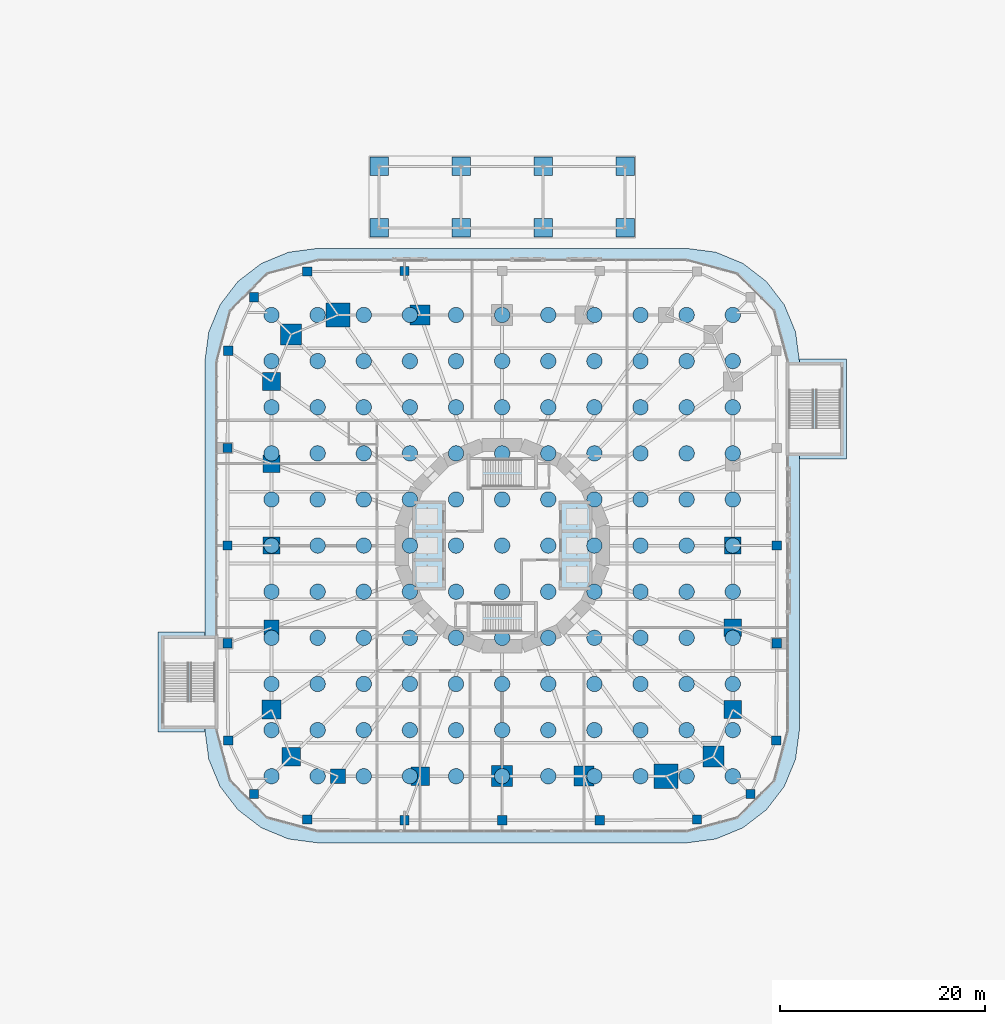
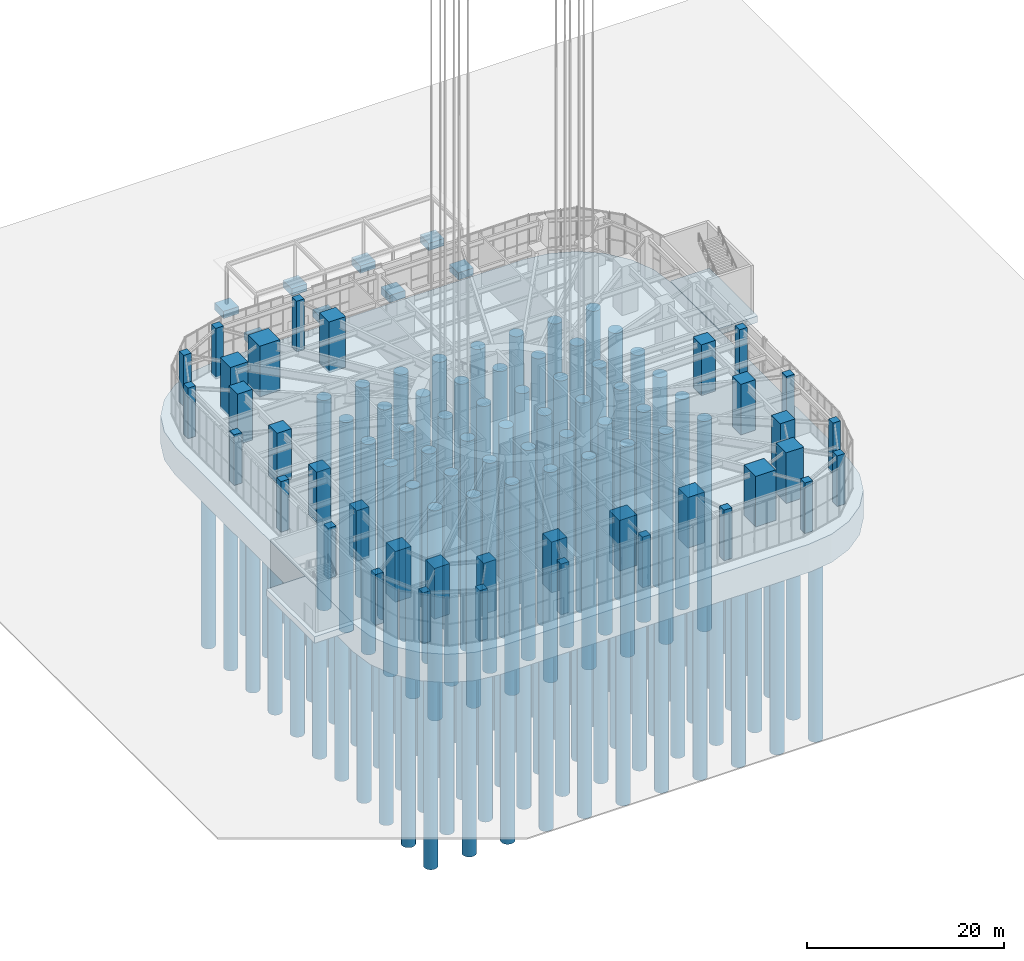
# One storey, part 1 of 43: 121 piles, 36 columns, 11 footings.
"""IFC4 building model written with IfcOpenShell, lengths in metres."""

from ifc_helpers import new_model, si_unit, direction, frame, origin, origin_2d, place, context, subcontext, project, spatial, polyline, rectangle, circle, outline, extrude, material, layer, layer_set, material_profile, profile_set, type_object, element, save


model = new_model("IFC4")

# Units and contexts
model_context = context("Model", 3, precision=1e-05, world=origin(), true_north=direction((0.0, 1.0)))
body_context = subcontext(model_context, "Body", "Model", "MODEL_VIEW")
ifc_project = project(units=[si_unit("LENGTHUNIT", "METRE"), si_unit("AREAUNIT", "SQUARE_METRE"), si_unit("VOLUMEUNIT", "CUBIC_METRE"), si_unit("PLANEANGLEUNIT", "RADIAN"), si_unit("MASSUNIT", "GRAM", prefix="KILO")], contexts=[model_context])

# Site, building, storey
site_placement = place(None, origin())
site = spatial("IfcSite", under=ifc_project, at=site_placement, CompositionType="ELEMENT")
building_placement = place(site_placement, origin())
building = spatial("IfcBuilding", under=site, at=building_placement, Name="Nakasero Lantern House", CompositionType="ELEMENT")
storey_placement = place(building_placement, origin())
storey = spatial("IfcBuildingStorey", under=building, at=storey_placement, Name="L00", CompositionType="ELEMENT", Elevation=0.0)

# Piles
ifc_material_1 = material(Name="Concrete C40/50", Category="concrete")
pile_type = type_object("IfcPileType", Name="Bored pile 1500", PredefinedType="BORED", material=ifc_material_1)
for number, where, z_axis, x_axis, name in (
    (1, (-22.5, -22.5, -3.75), (0.0, 0.0, -1.0), (1.0, 0.0, 0.0), "Bored pile BP1-001"),
    (2, (-22.5, -18.0, -3.75), (0.0, 0.0, -1.0), (1.0, 0.0, 0.0), "Bored pile BP1-002"),
    (3, (-22.5, -13.5, -3.75), (0.0, 0.0, -1.0), (1.0, 0.0, 0.0), "Bored pile BP1-003"),
    (4, (-22.5, -9.0, -3.75), (0.0, 0.0, -1.0), (1.0, 0.0, 0.0), "Bored pile BP1-004"),
    (5, (-22.5, -4.5, -3.75), (0.0, 0.0, -1.0), (1.0, 0.0, 0.0), "Bored pile BP1-005"),
    (6, (-22.5, 0.0, -3.75), (0.0, 0.0, -1.0), (1.0, 0.0, 0.0), "Bored pile BP1-006"),
    (7, (-22.5, 4.5, -3.75), (0.0, 0.0, -1.0), (1.0, 0.0, 0.0), "Bored pile BP1-007"),
    (8, (-22.5, 9.0, -3.75), (0.0, 0.0, -1.0), (1.0, 0.0, 0.0), "Bored pile BP1-008"),
    (9, (-22.5, 13.5, -3.75), (0.0, 0.0, -1.0), (1.0, 0.0, 0.0), "Bored pile BP1-009"),
    (10, (-22.5, 18.0, -3.75), (0.0, 0.0, -1.0), (1.0, 0.0, 0.0), "Bored pile BP1-010"),
    (11, (-22.5, 22.5, -3.75), (0.0, 0.0, -1.0), (1.0, 0.0, 0.0), "Bored pile BP1-011"),
    (12, (-18.0, -22.5, -3.75), (0.0, 0.0, -1.0), (1.0, 0.0, 0.0), "Bored pile BP1-012"),
    (13, (-18.0, -18.0, -3.75), (0.0, 0.0, -1.0), (1.0, 0.0, 0.0), "Bored pile BP1-013"),
    (14, (-18.0, -13.5, -3.75), (0.0, 0.0, -1.0), (1.0, 0.0, 0.0), "Bored pile BP1-014"),
    (15, (-18.0, -9.0, -3.75), (0.0, 0.0, -1.0), (1.0, 0.0, 0.0), "Bored pile BP1-015"),
    (16, (-18.0, -4.5, -3.75), (0.0, 0.0, -1.0), (1.0, 0.0, 0.0), "Bored pile BP1-016"),
    (17, (-18.0, 0.0, -3.75), (0.0, 0.0, -1.0), (1.0, 0.0, 0.0), "Bored pile BP1-017"),
    (18, (-18.0, 4.5, -3.75), (0.0, 0.0, -1.0), (1.0, 0.0, 0.0), "Bored pile BP1-018"),
    (19, (-18.0, 9.0, -3.75), (0.0, 0.0, -1.0), (1.0, 0.0, 0.0), "Bored pile BP1-019"),
    (20, (-18.0, 13.5, -3.75), (0.0, 0.0, -1.0), (1.0, 0.0, 0.0), "Bored pile BP1-020"),
    (21, (-18.0, 18.0, -3.75), (0.0, 0.0, -1.0), (1.0, 0.0, 0.0), "Bored pile BP1-021"),
    (22, (-18.0, 22.5, -3.75), (0.0, 0.0, -1.0), (1.0, 0.0, 0.0), "Bored pile BP1-022"),
    (23, (-13.5, -22.5, -3.75), (0.0, 0.0, -1.0), (1.0, 0.0, 0.0), "Bored pile BP1-023"),
    (24, (-13.5, -18.0, -3.75), (0.0, 0.0, -1.0), (1.0, 0.0, 0.0), "Bored pile BP1-024"),
    (25, (-13.5, -13.5, -3.75), (0.0, 0.0, -1.0), (1.0, 0.0, 0.0), "Bored pile BP1-025"),
    (26, (-13.5, -9.0, -3.75), (0.0, 0.0, -1.0), (1.0, 0.0, 0.0), "Bored pile BP1-026"),
    (27, (-13.5, -4.5, -3.75), (0.0, 0.0, -1.0), (1.0, 0.0, 0.0), "Bored pile BP1-027"),
    (28, (-13.5, 0.0, -3.75), (0.0, 0.0, -1.0), (1.0, 0.0, 0.0), "Bored pile BP1-028"),
    (29, (-13.5, 4.5, -3.75), (0.0, 0.0, -1.0), (1.0, 0.0, 0.0), "Bored pile BP1-029"),
    (30, (-13.5, 9.0, -3.75), (0.0, 0.0, -1.0), (1.0, 0.0, 0.0), "Bored pile BP1-030"),
    (31, (-13.5, 13.5, -3.75), (0.0, 0.0, -1.0), (1.0, 0.0, 0.0), "Bored pile BP1-031"),
    (32, (-13.5, 18.0, -3.75), (0.0, 0.0, -1.0), (1.0, 0.0, 0.0), "Bored pile BP1-032"),
    (33, (-13.5, 22.5, -3.75), (0.0, 0.0, -1.0), (1.0, 0.0, 0.0), "Bored pile BP1-033"),
    (34, (-9.0, -22.5, -3.75), (0.0, 0.0, -1.0), (1.0, 0.0, 0.0), "Bored pile BP1-034"),
    (35, (-9.0, -18.0, -3.75), (0.0, 0.0, -1.0), (1.0, 0.0, 0.0), "Bored pile BP1-035"),
    (36, (-9.0, -13.5, -3.75), (0.0, 0.0, -1.0), (1.0, 0.0, 0.0), "Bored pile BP1-036"),
    (37, (-9.0, -9.0, -3.75), (0.0, 0.0, -1.0), (1.0, 0.0, 0.0), "Bored pile BP1-037"),
    (38, (-9.0, -4.5, -3.75), (0.0, 0.0, -1.0), (1.0, 0.0, 0.0), "Bored pile BP1-038"),
    (39, (-9.0, 0.0, -3.75), (0.0, 0.0, -1.0), (1.0, 0.0, 0.0), "Bored pile BP1-039"),
    (40, (-9.0, 4.5, -3.75), (0.0, 0.0, -1.0), (1.0, 0.0, 0.0), "Bored pile BP1-040"),
    (41, (-9.0, 9.0, -3.75), (0.0, 0.0, -1.0), (1.0, 0.0, 0.0), "Bored pile BP1-041"),
    (42, (-9.0, 13.5, -3.75), (0.0, 0.0, -1.0), (1.0, 0.0, 0.0), "Bored pile BP1-042"),
    (43, (-9.0, 18.0, -3.75), (0.0, 0.0, -1.0), (1.0, 0.0, 0.0), "Bored pile BP1-043"),
    (44, (-9.0, 22.5, -3.75), (0.0, 0.0, -1.0), (1.0, 0.0, 0.0), "Bored pile BP1-044"),
    (45, (-4.5, -22.5, -3.75), (0.0, 0.0, -1.0), (1.0, 0.0, 0.0), "Bored pile BP1-045"),
    (46, (-4.5, -18.0, -3.75), (0.0, 0.0, -1.0), (1.0, 0.0, 0.0), "Bored pile BP1-046"),
    (47, (-4.5, -13.5, -3.75), (0.0, 0.0, -1.0), (1.0, 0.0, 0.0), "Bored pile BP1-047"),
    (48, (-4.5, -9.0, -3.75), (0.0, 0.0, -1.0), (1.0, 0.0, 0.0), "Bored pile BP1-048"),
    (49, (-4.5, -4.5, -3.75), (0.0, 0.0, -1.0), (1.0, 0.0, 0.0), "Bored pile BP1-049"),
    (50, (-4.5, 0.0, -3.75), (0.0, 0.0, -1.0), (1.0, 0.0, 0.0), "Bored pile BP1-050"),
    (51, (-4.5, 4.5, -3.75), (0.0, 0.0, -1.0), (1.0, 0.0, 0.0), "Bored pile BP1-051"),
    (52, (-4.5, 9.0, -3.75), (0.0, 0.0, -1.0), (1.0, 0.0, 0.0), "Bored pile BP1-052"),
    (53, (-4.5, 13.5, -3.75), (0.0, 0.0, -1.0), (1.0, 0.0, 0.0), "Bored pile BP1-053"),
    (54, (-4.5, 18.0, -3.75), (0.0, 0.0, -1.0), (1.0, 0.0, 0.0), "Bored pile BP1-054"),
    (55, (-4.5, 22.5, -3.75), (0.0, 0.0, -1.0), (1.0, 0.0, 0.0), "Bored pile BP1-055"),
    (56, (0.0, -22.5, -3.75), (0.0, 0.0, -1.0), (1.0, 0.0, 0.0), "Bored pile BP1-056"),
    (57, (0.0, -18.0, -3.75), (0.0, 0.0, -1.0), (1.0, 0.0, 0.0), "Bored pile BP1-057"),
    (58, (0.0, -13.5, -3.75), (0.0, 0.0, -1.0), (1.0, 0.0, 0.0), "Bored pile BP1-058"),
    (59, (0.0, -9.0, -3.75), (0.0, 0.0, -1.0), (1.0, 0.0, 0.0), "Bored pile BP1-059"),
    (60, (0.0, -4.5, -3.75), (0.0, 0.0, -1.0), (1.0, 0.0, 0.0), "Bored pile BP1-060"),
    (61, (0.0, 0.0, -3.75), (0.0, 0.0, -1.0), (1.0, 0.0, 0.0), "Bored pile BP1-061"),
    (62, (0.0, 4.5, -3.75), (0.0, 0.0, -1.0), (1.0, 0.0, 0.0), "Bored pile BP1-062"),
    (63, (0.0, 9.0, -3.75), (0.0, 0.0, -1.0), (1.0, 0.0, 0.0), "Bored pile BP1-063"),
    (64, (0.0, 13.5, -3.75), (0.0, 0.0, -1.0), (1.0, 0.0, 0.0), "Bored pile BP1-064"),
    (65, (0.0, 18.0, -3.75), (0.0, 0.0, -1.0), (1.0, 0.0, 0.0), "Bored pile BP1-065"),
    (66, (0.0, 22.5, -3.75), (0.0, 0.0, -1.0), (1.0, 0.0, 0.0), "Bored pile BP1-066"),
    (67, (4.5, -22.5, -3.75), (0.0, 0.0, -1.0), (1.0, 0.0, 0.0), "Bored pile BP1-067"),
    (68, (4.5, -18.0, -3.75), (0.0, 0.0, -1.0), (1.0, 0.0, 0.0), "Bored pile BP1-068"),
    (69, (4.5, -13.5, -3.75), (0.0, 0.0, -1.0), (1.0, 0.0, 0.0), "Bored pile BP1-069"),
    (70, (4.5, -9.0, -3.75), (0.0, 0.0, -1.0), (1.0, 0.0, 0.0), "Bored pile BP1-070"),
    (71, (4.5, -4.5, -3.75), (0.0, 0.0, -1.0), (1.0, 0.0, 0.0), "Bored pile BP1-071"),
    (72, (4.5, 0.0, -3.75), (0.0, 0.0, -1.0), (1.0, 0.0, 0.0), "Bored pile BP1-072"),
    (73, (4.5, 4.5, -3.75), (0.0, 0.0, -1.0), (1.0, 0.0, 0.0), "Bored pile BP1-073"),
    (74, (4.5, 9.0, -3.75), (0.0, 0.0, -1.0), (1.0, 0.0, 0.0), "Bored pile BP1-074"),
    (75, (4.5, 13.5, -3.75), (0.0, 0.0, -1.0), (1.0, 0.0, 0.0), "Bored pile BP1-075"),
    (76, (4.5, 18.0, -3.75), (0.0, 0.0, -1.0), (1.0, 0.0, 0.0), "Bored pile BP1-076"),
    (77, (4.5, 22.5, -3.75), (0.0, 0.0, -1.0), (1.0, 0.0, 0.0), "Bored pile BP1-077"),
    (78, (9.0, -22.5, -3.75), (0.0, 0.0, -1.0), (1.0, 0.0, 0.0), "Bored pile BP1-078"),
    (79, (9.0, -18.0, -3.75), (0.0, 0.0, -1.0), (1.0, 0.0, 0.0), "Bored pile BP1-079"),
    (80, (9.0, -13.5, -3.75), (0.0, 0.0, -1.0), (1.0, 0.0, 0.0), "Bored pile BP1-080"),
    (81, (9.0, -9.0, -3.75), (0.0, 0.0, -1.0), (1.0, 0.0, 0.0), "Bored pile BP1-081"),
    (82, (9.0, -4.5, -3.75), (0.0, 0.0, -1.0), (1.0, 0.0, 0.0), "Bored pile BP1-082"),
    (83, (9.0, 0.0, -3.75), (0.0, 0.0, -1.0), (1.0, 0.0, 0.0), "Bored pile BP1-083"),
    (84, (9.0, 4.5, -3.75), (0.0, 0.0, -1.0), (1.0, 0.0, 0.0), "Bored pile BP1-084"),
    (85, (9.0, 9.0, -3.75), (0.0, 0.0, -1.0), (1.0, 0.0, 0.0), "Bored pile BP1-085"),
    (86, (9.0, 13.5, -3.75), (0.0, 0.0, -1.0), (1.0, 0.0, 0.0), "Bored pile BP1-086"),
    (87, (9.0, 18.0, -3.75), (0.0, 0.0, -1.0), (1.0, 0.0, 0.0), "Bored pile BP1-087"),
    (88, (9.0, 22.5, -3.75), (0.0, 0.0, -1.0), (1.0, 0.0, 0.0), "Bored pile BP1-088"),
    (89, (13.5, -22.5, -3.75), (0.0, 0.0, -1.0), (1.0, 0.0, 0.0), "Bored pile BP1-089"),
    (90, (13.5, -18.0, -3.75), (0.0, 0.0, -1.0), (1.0, 0.0, 0.0), "Bored pile BP1-090"),
    (91, (13.5, -13.5, -3.75), (0.0, 0.0, -1.0), (1.0, 0.0, 0.0), "Bored pile BP1-091"),
    (92, (13.5, -9.0, -3.75), (0.0, 0.0, -1.0), (1.0, 0.0, 0.0), "Bored pile BP1-092"),
    (93, (13.5, -4.5, -3.75), (0.0, 0.0, -1.0), (1.0, 0.0, 0.0), "Bored pile BP1-093"),
    (94, (13.5, 0.0, -3.75), (0.0, 0.0, -1.0), (1.0, 0.0, 0.0), "Bored pile BP1-094"),
    (95, (13.5, 4.5, -3.75), (0.0, 0.0, -1.0), (1.0, 0.0, 0.0), "Bored pile BP1-095"),
    (96, (13.5, 9.0, -3.75), (0.0, 0.0, -1.0), (1.0, 0.0, 0.0), "Bored pile BP1-096"),
    (97, (13.5, 13.5, -3.75), (0.0, 0.0, -1.0), (1.0, 0.0, 0.0), "Bored pile BP1-097"),
    (98, (13.5, 18.0, -3.75), (0.0, 0.0, -1.0), (1.0, 0.0, 0.0), "Bored pile BP1-098"),
    (99, (13.5, 22.5, -3.75), (0.0, 0.0, -1.0), (1.0, 0.0, 0.0), "Bored pile BP1-099"),
    (100, (18.0, -22.5, -3.75), (0.0, 0.0, -1.0), (1.0, 0.0, 0.0), "Bored pile BP1-100"),
    (101, (18.0, -18.0, -3.75), (0.0, 0.0, -1.0), (1.0, 0.0, 0.0), "Bored pile BP1-101"),
    (102, (18.0, -13.5, -3.75), (0.0, 0.0, -1.0), (1.0, 0.0, 0.0), "Bored pile BP1-102"),
    (103, (18.0, -9.0, -3.75), (0.0, 0.0, -1.0), (1.0, 0.0, 0.0), "Bored pile BP1-103"),
    (104, (18.0, -4.5, -3.75), (0.0, 0.0, -1.0), (1.0, 0.0, 0.0), "Bored pile BP1-104"),
    (105, (18.0, 0.0, -3.75), (0.0, 0.0, -1.0), (1.0, 0.0, 0.0), "Bored pile BP1-105"),
    (106, (18.0, 4.5, -3.75), (0.0, 0.0, -1.0), (1.0, 0.0, 0.0), "Bored pile BP1-106"),
    (107, (18.0, 9.0, -3.75), (0.0, 0.0, -1.0), (1.0, 0.0, 0.0), "Bored pile BP1-107"),
    (108, (18.0, 13.5, -3.75), (0.0, 0.0, -1.0), (1.0, 0.0, 0.0), "Bored pile BP1-108"),
    (109, (18.0, 18.0, -3.75), (0.0, 0.0, -1.0), (1.0, 0.0, 0.0), "Bored pile BP1-109"),
    (110, (18.0, 22.5, -3.75), (0.0, 0.0, -1.0), (1.0, 0.0, 0.0), "Bored pile BP1-110"),
    (111, (22.5, -22.5, -3.75), (0.0, 0.0, -1.0), (1.0, 0.0, 0.0), "Bored pile BP1-111"),
    (112, (22.5, -18.0, -3.75), (0.0, 0.0, -1.0), (1.0, 0.0, 0.0), "Bored pile BP1-112"),
    (113, (22.5, -13.5, -3.75), (0.0, 0.0, -1.0), (1.0, 0.0, 0.0), "Bored pile BP1-113"),
    (114, (22.5, -9.0, -3.75), (0.0, 0.0, -1.0), (1.0, 0.0, 0.0), "Bored pile BP1-114"),
    (115, (22.5, -4.5, -3.75), (0.0, 0.0, -1.0), (1.0, 0.0, 0.0), "Bored pile BP1-115"),
    (116, (22.5, 0.0, -3.75), (0.0, 0.0, -1.0), (1.0, 0.0, 0.0), "Bored pile BP1-116"),
    (117, (22.5, 4.5, -3.75), (0.0, 0.0, -1.0), (1.0, 0.0, 0.0), "Bored pile BP1-117"),
    (118, (22.5, 9.0, -3.75), (0.0, 0.0, -1.0), (1.0, 0.0, 0.0), "Bored pile BP1-118"),
    (119, (22.5, 13.5, -3.75), (0.0, 0.0, -1.0), (1.0, 0.0, 0.0), "Bored pile BP1-119"),
    (120, (22.5, 18.0, -3.75), (0.0, 0.0, -1.0), (1.0, 0.0, 0.0), "Bored pile BP1-120"),
    (121, (22.5, 22.5, -3.75), (0.0, 0.0, -1.0), (1.0, 0.0, 0.0), "Bored pile BP1-121"),
):
    element("IfcPile", number, at=place(storey_placement, frame(where, z_axis=z_axis, x_axis=x_axis)), inside=storey, type_object=pile_type, Name=name, PredefinedType="BORED", context=body_context, shape_type="SweptSolid", body=[
        extrude(circle(Radius=0.75, at=origin_2d()), origin(), (0.0, 0.0, 1.0), 26.0),
    ])

# Footings
ifc_material_2 = material(Name="Concrete C32/40", Category="concrete")
ifc_layer_1 = layer(ifc_material_2, 0.89990234375)
ifc_layer_set_1 = layer_set([ifc_layer_1], Name="Canopy pad footing 1800")
footing_type_1 = type_object("IfcFootingType", Name="Canopy pad footing 1800", PredefinedType="PAD_FOOTING", material=ifc_layer_set_1)
footing_1_placement = place(storey_placement, frame((0.0, 0.0, -1.050048828125)))
element("IfcFooting", 122, at=footing_1_placement, inside=storey, type_object=footing_type_1, Name="Canopy footing 00", PredefinedType="PAD_FOOTING", context=body_context, shape_type="SweptSolid", body=[
    extrude(outline(polyline([(-12.89990234375, 30.10009765625), (-11.10009765625, 30.10009765625), (-11.10009765625, 31.89990234375), (-12.89990234375, 31.89990234375), (-12.89990234375, 30.10009765625)])), origin(), (0.0, 0.0, 1.0), 0.900146484375),
])
footing_2_placement = place(storey_placement, frame((0.0, 0.0, -1.050048828125)))
element("IfcFooting", 123, at=footing_2_placement, inside=storey, type_object=footing_type_1, Name="Canopy footing 01", PredefinedType="PAD_FOOTING", context=body_context, shape_type="SweptSolid", body=[
    extrude(outline(polyline([(-12.89990234375, 36.10009765625), (-11.10009765625, 36.10009765625), (-11.10009765625, 37.89990234375), (-12.89990234375, 37.89990234375), (-12.89990234375, 36.10009765625)])), origin(), (0.0, 0.0, 1.0), 0.900146484375),
])
footing_3_placement = place(storey_placement, frame((0.0, 0.0, -1.050048828125)))
element("IfcFooting", 124, at=footing_3_placement, inside=storey, type_object=footing_type_1, Name="Canopy footing 10", PredefinedType="PAD_FOOTING", context=body_context, shape_type="SweptSolid", body=[
    extrude(outline(polyline([(-4.89990234375, 30.10009765625), (-3.10009765625, 30.10009765625), (-3.10009765625, 31.89990234375), (-4.89990234375, 31.89990234375), (-4.89990234375, 30.10009765625)])), origin(), (0.0, 0.0, 1.0), 0.900146484375),
])
footing_4_placement = place(storey_placement, frame((0.0, 0.0, -1.050048828125)))
element("IfcFooting", 125, at=footing_4_placement, inside=storey, type_object=footing_type_1, Name="Canopy footing 11", PredefinedType="PAD_FOOTING", context=body_context, shape_type="SweptSolid", body=[
    extrude(outline(polyline([(-4.89990234375, 36.10009765625), (-3.10009765625, 36.10009765625), (-3.10009765625, 37.89990234375), (-4.89990234375, 37.89990234375), (-4.89990234375, 36.10009765625)])), origin(), (0.0, 0.0, 1.0), 0.900146484375),
])
footing_5_placement = place(storey_placement, frame((0.0, 0.0, -1.050048828125)))
element("IfcFooting", 126, at=footing_5_placement, inside=storey, type_object=footing_type_1, Name="Canopy footing 20", PredefinedType="PAD_FOOTING", context=body_context, shape_type="SweptSolid", body=[
    extrude(outline(polyline([(3.10009765625, 30.10009765625), (4.89990234375, 30.10009765625), (4.89990234375, 31.89990234375), (3.10009765625, 31.89990234375), (3.10009765625, 30.10009765625)])), origin(), (0.0, 0.0, 1.0), 0.900146484375),
])
footing_6_placement = place(storey_placement, frame((0.0, 0.0, -1.050048828125)))
element("IfcFooting", 127, at=footing_6_placement, inside=storey, type_object=footing_type_1, Name="Canopy footing 21", PredefinedType="PAD_FOOTING", context=body_context, shape_type="SweptSolid", body=[
    extrude(outline(polyline([(3.10009765625, 36.10009765625), (4.89990234375, 36.10009765625), (4.89990234375, 37.89990234375), (3.10009765625, 37.89990234375), (3.10009765625, 36.10009765625)])), origin(), (0.0, 0.0, 1.0), 0.900146484375),
])
footing_7_placement = place(storey_placement, frame((0.0, 0.0, -1.050048828125)))
element("IfcFooting", 128, at=footing_7_placement, inside=storey, type_object=footing_type_1, Name="Canopy footing 30", PredefinedType="PAD_FOOTING", context=body_context, shape_type="SweptSolid", body=[
    extrude(outline(polyline([(11.10009765625, 30.10009765625), (12.89990234375, 30.10009765625), (12.89990234375, 31.89990234375), (11.10009765625, 31.89990234375), (11.10009765625, 30.10009765625)])), origin(), (0.0, 0.0, 1.0), 0.900146484375),
])
footing_8_placement = place(storey_placement, frame((0.0, 0.0, -1.050048828125)))
element("IfcFooting", 129, at=footing_8_placement, inside=storey, type_object=footing_type_1, Name="Canopy footing 31", PredefinedType="PAD_FOOTING", context=body_context, shape_type="SweptSolid", body=[
    extrude(outline(polyline([(11.10009765625, 36.10009765625), (12.89990234375, 36.10009765625), (12.89990234375, 37.89990234375), (11.10009765625, 37.89990234375), (11.10009765625, 36.10009765625)])), origin(), (0.0, 0.0, 1.0), 0.900146484375),
])
ifc_material_3 = material(Name="Concrete C40/50", Category="concrete")
ifc_layer_2 = layer(ifc_material_3, 3.5)
ifc_layer_set_2 = layer_set([ifc_layer_2], Name="Piled raft 3500")
footing_type_2 = type_object("IfcFootingType", Name="Piled raft 3500", PredefinedType="PILE_CAP", material=ifc_layer_set_2)
footing_9_placement = place(storey_placement, frame((0.0, 0.0, -3.75)))
element("IfcFooting", 130, at=footing_9_placement, inside=storey, type_object=footing_type_2, Name="Piled raft PR1", PredefinedType="PILE_CAP", context=body_context, shape_type="SweptSolid", body=[
    extrude(outline(polyline([(29.0, 18.0), (28.625244140625, 20.846923828125), (27.5263671875, 23.5), (25.778076171875, 25.778076171875), (23.5, 27.5263671875), (20.846923828125, 28.625244140625), (18.0, 29.0), (-18.0, 29.0), (-20.846923828125, 28.625244140625), (-23.5, 27.5263671875), (-25.778076171875, 25.778076171875), (-27.5263671875, 23.5), (-28.625244140625, 20.846923828125), (-29.0, 18.0), (-29.0, -18.0), (-28.625244140625, -20.846923828125), (-27.5263671875, -23.5), (-25.778076171875, -25.778076171875), (-23.5, -27.5263671875), (-20.846923828125, -28.625244140625), (-18.0, -29.0), (18.0, -29.0), (20.846923828125, -28.625244140625), (23.5, -27.5263671875), (25.778076171875, -25.778076171875), (27.5263671875, -23.5), (28.625244140625, -20.846923828125), (29.0, -18.0), (29.0, 18.0)])), origin(), (0.0, 0.0, 1.0), 3.5),
])
ifc_material_4 = material(Name="Concrete C32/40", Category="concrete")
ifc_layer_3 = layer(ifc_material_4, 0.800048828125)
ifc_layer_set_3 = layer_set([ifc_layer_3], Name="Stair tower pad footing 800")
footing_type_3 = type_object("IfcFootingType", Name="Stair tower pad footing 800", PredefinedType="PAD_FOOTING", material=ifc_layer_set_3)
footing_10_placement = place(storey_placement, frame((0.0, 0.0, -1.0)))
element("IfcFooting", 131, at=footing_10_placement, inside=storey, type_object=footing_type_3, Name="Escape stair tower PS1 pad footing", PredefinedType="PAD_FOOTING", context=body_context, shape_type="SweptSolid", body=[
    extrude(outline(polyline([(29.02001953125, 8.449951171875), (33.60009765625, 8.449951171875), (33.60009765625, 18.199951171875), (29.02001953125, 18.199951171875), (29.02001953125, 8.449951171875)])), origin(), (0.0, 0.0, 1.0), 0.800048828125),
])
footing_11_placement = place(storey_placement, frame((0.0, 0.0, -1.0)))
element("IfcFooting", 132, at=footing_11_placement, inside=storey, type_object=footing_type_3, Name="Escape stair tower PS2 pad footing", PredefinedType="PAD_FOOTING", context=body_context, shape_type="SweptSolid", body=[
    extrude(outline(polyline([(-29.02001953125, -8.449951171875), (-33.60009765625, -8.449951171875), (-33.60009765625, -18.199951171875), (-29.02001953125, -18.199951171875), (-29.02001953125, -8.449951171875)])), origin(), (0.0, 0.0, 1.0), 0.800048828125),
])

# Columns
ifc_material_5 = material(Name="Concrete C50/60", Category="concrete")
ifc_material_profile_1 = material_profile(ifc_material_5, rectangle(XDim=1.800048828125, YDim=1.800048828125, at=origin_2d()), Name="RC 1800x1800")
ifc_profile_set_1 = profile_set([ifc_material_profile_1], Name="Concrete C50/60")
column_type_1 = type_object("IfcColumnType", Name="Mega column RC 1800x1800 C50/60", PredefinedType="COLUMN", material=ifc_profile_set_1)
column_1_placement = place(storey_placement, frame((-20.59619140625, -20.59619140625, -0.25), z_axis=(0.0, 0.0, 1.0), x_axis=(1.0, 0.0, 0.0)))
element("IfcColumn", 133, at=column_1_placement, inside=storey, type_object=column_type_1, Name="Column B1-C18 L00", PredefinedType="COLUMN", context=body_context, shape_type="SweptSolid", body=[
    extrude(rectangle(XDim=1.800048828125, YDim=1.800048828125, at=origin_2d()), origin(), (0.0, 0.0, 1.0), 6.25),
])
ifc_material_6 = material(Name="Concrete C50/60", Category="concrete")
ifc_material_profile_2 = material_profile(ifc_material_6, rectangle(XDim=2.050048828125, YDim=2.050048828125, at=origin_2d()), Name="RC 2050x2050")
ifc_profile_set_2 = profile_set([ifc_material_profile_2], Name="Concrete C50/60")
column_type_2 = type_object("IfcColumnType", Name="Mega column RC 2050x2050 C50/60", PredefinedType="COLUMN", material=ifc_profile_set_2)
for number, where, z_axis, x_axis, name in (
    (134, (-20.59619140625, 20.59619140625, -0.25), (0.0, 0.0, 1.0), (1.0, 0.0, 0.0), "Column B1-C12 L00"),
    (135, (20.59619140625, -20.59619140625, -0.25), (0.0, 0.0, 1.0), (1.0, 0.0, 0.0), "Column B1-C24 L00"),
):
    element("IfcColumn", number, at=place(storey_placement, frame(where, z_axis=z_axis, x_axis=x_axis)), inside=storey, type_object=column_type_2, Name=name, PredefinedType="COLUMN", context=body_context, shape_type="SweptSolid", body=[
        extrude(rectangle(XDim=2.050048828125, YDim=2.050048828125, at=origin_2d()), origin(), (0.0, 0.0, 1.0), 6.25),
    ])
ifc_material_7 = material(Name="Concrete C50/60", Category="concrete")
ifc_material_profile_3 = material_profile(ifc_material_7, rectangle(XDim=1.449951171875, YDim=1.449951171875, at=origin_2d()), Name="RC 1450x1450")
ifc_profile_set_3 = profile_set([ifc_material_profile_3], Name="Concrete C50/60")
column_type_3 = type_object("IfcColumnType", Name="Ring column RC 1450x1450 C50/60", PredefinedType="COLUMN", material=ifc_profile_set_3)
for number, where, z_axis, x_axis, name in (
    (136, (-22.5, -8.0, -0.25), (0.0, 0.0, 1.0), (1.0, 0.0, 0.0), "Column B1-C16 L00"),
    (137, (-16.0, -22.5, -0.25), (0.0, 0.0, 1.0), (1.0, 0.0, 0.0), "Column B1-C19 L00"),
):
    element("IfcColumn", number, at=place(storey_placement, frame(where, z_axis=z_axis, x_axis=x_axis)), inside=storey, type_object=column_type_3, Name=name, PredefinedType="COLUMN", context=body_context, shape_type="SweptSolid", body=[
        extrude(rectangle(XDim=1.449951171875, YDim=1.449951171875, at=origin_2d()), origin(), (0.0, 0.0, 1.0), 6.25),
    ])
ifc_material_8 = material(Name="Concrete C50/60", Category="concrete")
ifc_material_profile_4 = material_profile(ifc_material_8, rectangle(XDim=1.64990234375, YDim=1.64990234375, at=origin_2d()), Name="RC 1650x1650")
ifc_profile_set_4 = profile_set([ifc_material_profile_4], Name="Concrete C50/60")
column_type_4 = type_object("IfcColumnType", Name="Ring column RC 1650x1650 C50/60", PredefinedType="COLUMN", material=ifc_profile_set_4)
for number, where, z_axis, x_axis, name in (
    (138, (22.5, 0.0, -0.25), (0.0, 0.0, 1.0), (1.0, 0.0, 0.0), "Column B1-C03 L00"),
    (139, (-22.5, 0.0, -0.25), (0.0, 0.0, 1.0), (1.0, 0.0, 0.0), "Column B1-C15 L00"),
):
    element("IfcColumn", number, at=place(storey_placement, frame(where, z_axis=z_axis, x_axis=x_axis)), inside=storey, type_object=column_type_4, Name=name, PredefinedType="COLUMN", context=body_context, shape_type="SweptSolid", body=[
        extrude(rectangle(XDim=1.64990234375, YDim=1.64990234375, at=origin_2d()), origin(), (0.0, 0.0, 1.0), 6.25),
    ])
ifc_material_9 = material(Name="Concrete C50/60", Category="concrete")
ifc_material_profile_5 = material_profile(ifc_material_9, rectangle(XDim=1.699951171875, YDim=1.699951171875, at=origin_2d()), Name="RC 1700x1700")
ifc_profile_set_5 = profile_set([ifc_material_profile_5], Name="Concrete C50/60")
column_type_5 = type_object("IfcColumnType", Name="Ring column RC 1700x1700 C50/60", PredefinedType="COLUMN", material=ifc_profile_set_5)
for number, where, z_axis, x_axis, name in (
    (140, (22.5, -8.0, -0.25), (0.0, 0.0, 1.0), (1.0, 0.0, 0.0), "Column B1-C02 L00"),
    (141, (-22.5, 8.0, -0.25), (0.0, 0.0, 1.0), (1.0, 0.0, 0.0), "Column B1-C14 L00"),
):
    element("IfcColumn", number, at=place(storey_placement, frame(where, z_axis=z_axis, x_axis=x_axis)), inside=storey, type_object=column_type_5, Name=name, PredefinedType="COLUMN", context=body_context, shape_type="SweptSolid", body=[
        extrude(rectangle(XDim=1.699951171875, YDim=1.699951171875, at=origin_2d()), origin(), (0.0, 0.0, 1.0), 6.25),
    ])
ifc_material_10 = material(Name="Concrete C50/60", Category="concrete")
ifc_material_profile_6 = material_profile(ifc_material_10, rectangle(XDim=1.75, YDim=1.75, at=origin_2d()), Name="RC 1750x1750")
ifc_profile_set_6 = profile_set([ifc_material_profile_6], Name="Concrete C50/60")
column_type_6 = type_object("IfcColumnType", Name="Ring column RC 1750x1750 C50/60", PredefinedType="COLUMN", material=ifc_profile_set_6)
for number, where, z_axis, x_axis, name in (
    (142, (22.5, -16.0, -0.25), (0.0, 0.0, 1.0), (1.0, 0.0, 0.0), "Column B1-C01 L00"),
    (143, (-22.5, 16.0, -0.25), (0.0, 0.0, 1.0), (1.0, 0.0, 0.0), "Column B1-C13 L00"),
):
    element("IfcColumn", number, at=place(storey_placement, frame(where, z_axis=z_axis, x_axis=x_axis)), inside=storey, type_object=column_type_6, Name=name, PredefinedType="COLUMN", context=body_context, shape_type="SweptSolid", body=[
        extrude(rectangle(XDim=1.75, YDim=1.75, at=origin_2d()), origin(), (0.0, 0.0, 1.0), 6.25),
    ])
ifc_material_11 = material(Name="Concrete C50/60", Category="concrete")
ifc_material_profile_7 = material_profile(ifc_material_11, rectangle(XDim=1.800048828125, YDim=1.800048828125, at=origin_2d()), Name="RC 1800x1800")
ifc_profile_set_7 = profile_set([ifc_material_profile_7], Name="Concrete C50/60")
column_type_7 = type_object("IfcColumnType", Name="Ring column RC 1800x1800 C50/60", PredefinedType="COLUMN", material=ifc_profile_set_7)
column_2_placement = place(storey_placement, frame((-8.0, -22.5, -0.25), z_axis=(0.0, 0.0, 1.0), x_axis=(1.0, 0.0, 0.0)))
element("IfcColumn", 144, at=column_2_placement, inside=storey, type_object=column_type_7, Name="Column B1-C20 L00", PredefinedType="COLUMN", context=body_context, shape_type="SweptSolid", body=[
    extrude(rectangle(XDim=1.800048828125, YDim=1.800048828125, at=origin_2d()), origin(), (0.0, 0.0, 1.0), 6.25),
])
ifc_material_12 = material(Name="Concrete C50/60", Category="concrete")
ifc_material_profile_8 = material_profile(ifc_material_12, rectangle(XDim=1.85009765625, YDim=1.85009765625, at=origin_2d()), Name="RC 1850x1850")
ifc_profile_set_8 = profile_set([ifc_material_profile_8], Name="Concrete C50/60")
column_type_8 = type_object("IfcColumnType", Name="Ring column RC 1850x1850 C50/60", PredefinedType="COLUMN", material=ifc_profile_set_8)
column_3_placement = place(storey_placement, frame((-22.5, -16.0, -0.25), z_axis=(0.0, 0.0, 1.0), x_axis=(1.0, 0.0, 0.0)))
element("IfcColumn", 145, at=column_3_placement, inside=storey, type_object=column_type_8, Name="Column B1-C17 L00", PredefinedType="COLUMN", context=body_context, shape_type="SweptSolid", body=[
    extrude(rectangle(XDim=1.85009765625, YDim=1.85009765625, at=origin_2d()), origin(), (0.0, 0.0, 1.0), 6.25),
])
ifc_material_13 = material(Name="Concrete C50/60", Category="concrete")
ifc_material_profile_9 = material_profile(ifc_material_13, rectangle(XDim=1.949951171875, YDim=1.949951171875, at=origin_2d()), Name="RC 1950x1950")
ifc_profile_set_9 = profile_set([ifc_material_profile_9], Name="Concrete C50/60")
column_type_9 = type_object("IfcColumnType", Name="Ring column RC 1950x1950 C50/60", PredefinedType="COLUMN", material=ifc_profile_set_9)
for number, where, z_axis, x_axis, name in (
    (146, (-8.0, 22.5, -0.25), (0.0, 0.0, 1.0), (1.0, 0.0, 0.0), "Column B1-C10 L00"),
    (147, (8.0, -22.5, -0.25), (0.0, 0.0, 1.0), (1.0, 0.0, 0.0), "Column B1-C22 L00"),
):
    element("IfcColumn", number, at=place(storey_placement, frame(where, z_axis=z_axis, x_axis=x_axis)), inside=storey, type_object=column_type_9, Name=name, PredefinedType="COLUMN", context=body_context, shape_type="SweptSolid", body=[
        extrude(rectangle(XDim=1.949951171875, YDim=1.949951171875, at=origin_2d()), origin(), (0.0, 0.0, 1.0), 6.25),
    ])
ifc_material_14 = material(Name="Concrete C50/60", Category="concrete")
ifc_material_profile_10 = material_profile(ifc_material_14, rectangle(XDim=2.050048828125, YDim=2.050048828125, at=origin_2d()), Name="RC 2050x2050")
ifc_profile_set_10 = profile_set([ifc_material_profile_10], Name="Concrete C50/60")
column_type_10 = type_object("IfcColumnType", Name="Ring column RC 2050x2050 C50/60", PredefinedType="COLUMN", material=ifc_profile_set_10)
column_4_placement = place(storey_placement, frame((0.0, -22.5, -0.25), z_axis=(0.0, 0.0, 1.0), x_axis=(1.0, 0.0, 0.0)))
element("IfcColumn", 148, at=column_4_placement, inside=storey, type_object=column_type_10, Name="Column B1-C21 L00", PredefinedType="COLUMN", context=body_context, shape_type="SweptSolid", body=[
    extrude(rectangle(XDim=2.050048828125, YDim=2.050048828125, at=origin_2d()), origin(), (0.0, 0.0, 1.0), 6.25),
])
ifc_material_15 = material(Name="Concrete C50/60", Category="concrete")
ifc_material_profile_11 = material_profile(ifc_material_15, rectangle(XDim=2.35009765625, YDim=2.35009765625, at=origin_2d()), Name="RC 2350x2350")
ifc_profile_set_11 = profile_set([ifc_material_profile_11], Name="Concrete C50/60")
column_type_11 = type_object("IfcColumnType", Name="Ring column RC 2350x2350 C50/60", PredefinedType="COLUMN", material=ifc_profile_set_11)
for number, where, z_axis, x_axis, name in (
    (149, (-16.0, 22.5, -0.25), (0.0, 0.0, 1.0), (1.0, 0.0, 0.0), "Column B1-C11 L00"),
    (150, (16.0, -22.5, -0.25), (0.0, 0.0, 1.0), (1.0, 0.0, 0.0), "Column B1-C23 L00"),
):
    element("IfcColumn", number, at=place(storey_placement, frame(where, z_axis=z_axis, x_axis=x_axis)), inside=storey, type_object=column_type_11, Name=name, PredefinedType="COLUMN", context=body_context, shape_type="SweptSolid", body=[
        extrude(rectangle(XDim=2.35009765625, YDim=2.35009765625, at=origin_2d()), origin(), (0.0, 0.0, 1.0), 6.25),
    ])
ifc_material_16 = material(Name="Concrete C50/60", Category="concrete")
ifc_material_profile_12 = material_profile(ifc_material_16, rectangle(XDim=0.89990234375, YDim=0.89990234375, at=origin_2d()), Name="RC 900x900")
ifc_profile_set_12 = profile_set([ifc_material_profile_12], Name="Concrete C50/60")
column_type_12 = type_object("IfcColumnType", Name="Ring column RC 900x900 C50/60", PredefinedType="COLUMN", material=ifc_profile_set_12)
for number, where, z_axis, x_axis, name in (
    (151, (26.733642578125, -19.0107421875, -0.25), (0.0, 0.0, 1.0), (1.0, 0.0, 0.0), "Column POD-C01 L00"),
    (152, (26.800048828125, -9.52880859375, -0.25), (0.0, 0.0, 1.0), (1.0, 0.0, 0.0), "Column POD-C02 L00"),
    (153, (26.800048828125, 0.0, -0.25), (0.0, 0.0, 1.0), (1.0, 0.0, 0.0), "Column POD-C03 L00"),
    (154, (-9.52880859375, 26.800048828125, -0.25), (0.0, 0.0, 1.0), (1.0, 0.0, 0.0), "Column POD-C10 L00"),
    (155, (-19.0107421875, 26.733642578125, -0.25), (0.0, 0.0, 1.0), (1.0, 0.0, 0.0), "Column POD-C11 L00"),
    (156, (-24.22265625, 24.22265625, -0.25), (0.0, 0.0, 1.0), (1.0, 0.0, 0.0), "Column POD-C12 L00"),
    (157, (-26.733642578125, 19.0107421875, -0.25), (0.0, 0.0, 1.0), (1.0, 0.0, 0.0), "Column POD-C13 L00"),
    (158, (-26.800048828125, 9.52880859375, -0.25), (0.0, 0.0, 1.0), (1.0, 0.0, 0.0), "Column POD-C14 L00"),
    (159, (-26.800048828125, 0.0, -0.25), (0.0, 0.0, 1.0), (1.0, 0.0, 0.0), "Column POD-C15 L00"),
    (160, (-26.800048828125, -9.52880859375, -0.25), (0.0, 0.0, 1.0), (1.0, 0.0, 0.0), "Column POD-C16 L00"),
    (161, (-26.733642578125, -19.0107421875, -0.25), (0.0, 0.0, 1.0), (1.0, 0.0, 0.0), "Column POD-C17 L00"),
    (162, (-24.22265625, -24.22265625, -0.25), (0.0, 0.0, 1.0), (1.0, 0.0, 0.0), "Column POD-C18 L00"),
    (163, (-19.0107421875, -26.733642578125, -0.25), (0.0, 0.0, 1.0), (1.0, 0.0, 0.0), "Column POD-C19 L00"),
    (164, (-9.52880859375, -26.800048828125, -0.25), (0.0, 0.0, 1.0), (1.0, 0.0, 0.0), "Column POD-C20 L00"),
    (165, (0.0, -26.800048828125, -0.25), (0.0, 0.0, 1.0), (1.0, 0.0, 0.0), "Column POD-C21 L00"),
    (166, (9.52880859375, -26.800048828125, -0.25), (0.0, 0.0, 1.0), (1.0, 0.0, 0.0), "Column POD-C22 L00"),
    (167, (19.0107421875, -26.733642578125, -0.25), (0.0, 0.0, 1.0), (1.0, 0.0, 0.0), "Column POD-C23 L00"),
    (168, (24.22265625, -24.22265625, -0.25), (0.0, 0.0, 1.0), (1.0, 0.0, 0.0), "Column POD-C24 L00"),
):
    element("IfcColumn", number, at=place(storey_placement, frame(where, z_axis=z_axis, x_axis=x_axis)), inside=storey, type_object=column_type_12, Name=name, PredefinedType="COLUMN", context=body_context, shape_type="SweptSolid", body=[
        extrude(rectangle(XDim=0.89990234375, YDim=0.89990234375, at=origin_2d()), origin(), (0.0, 0.0, 1.0), 6.25),
    ])

save(model, "model.ifc")
